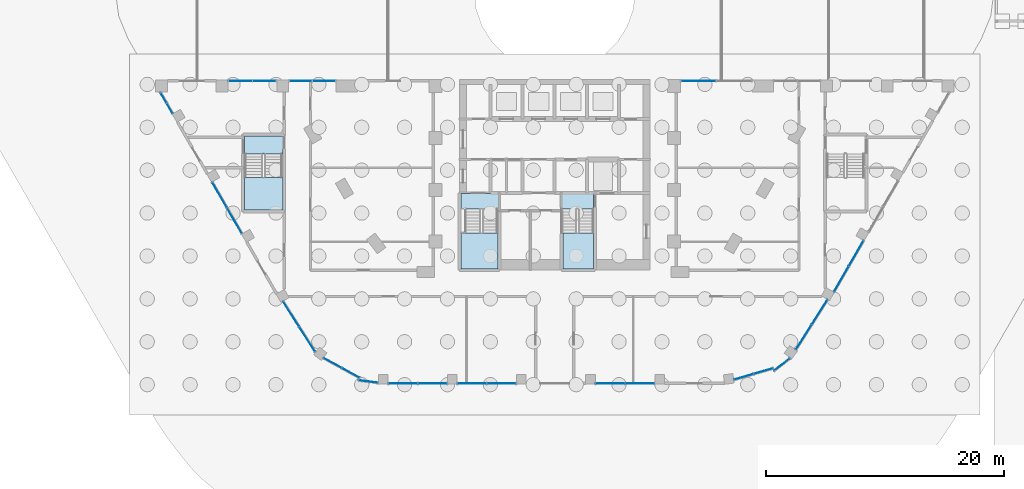
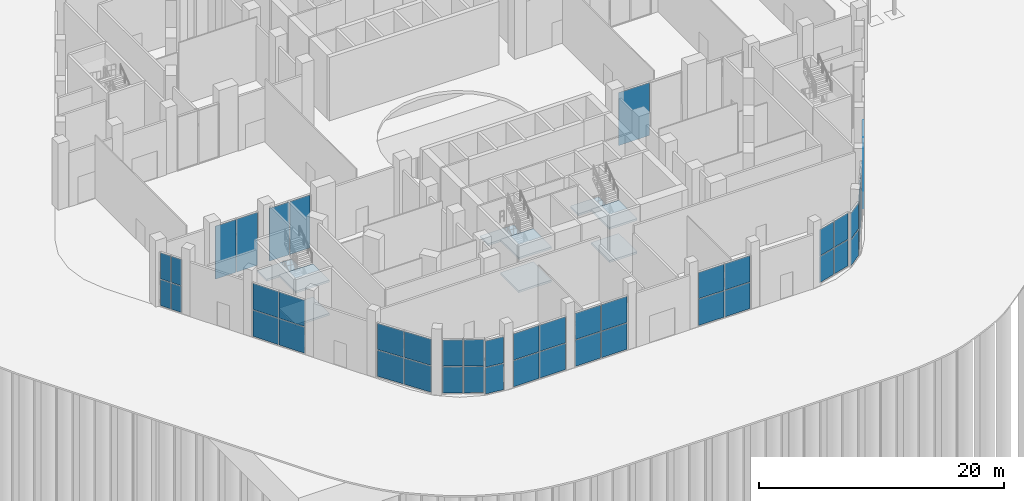
# One storey, part 18 of 44: 49 plates, 9 slabs, 18 elements without a shape of their own.
"""IFC4 building model written with IfcOpenShell, lengths in metres."""

from ifc_helpers import new_model, si_unit, direction, frame, origin, origin_2d, place, context, subcontext, project, spatial, polyline, rectangle, outline, extrude, material, layer, layer_set, type_object, element, aggregate, save


model = new_model("IFC4")

# Units and contexts
model_context = context("Model", 3, precision=1e-05, world=origin(), true_north=direction((0.0, 1.0)))
body_context = subcontext(model_context, "Body", "Model", "MODEL_VIEW")
ifc_project = project(units=[si_unit("LENGTHUNIT", "METRE"), si_unit("AREAUNIT", "SQUARE_METRE"), si_unit("VOLUMEUNIT", "CUBIC_METRE"), si_unit("PLANEANGLEUNIT", "RADIAN"), si_unit("MASSUNIT", "GRAM", prefix="KILO")], contexts=[model_context])

# Site, building, storey
site_placement = place(None, origin())
site = spatial("IfcSite", under=ifc_project, at=site_placement, CompositionType="ELEMENT")
building_placement = place(site_placement, origin())
building = spatial("IfcBuilding", under=site, at=building_placement, Name="Nakaniwa Court", CompositionType="ELEMENT")
storey_placement = place(building_placement, origin())
storey = spatial("IfcBuildingStorey", under=building, at=storey_placement, Name="L00", CompositionType="ELEMENT", Elevation=0.0)

# Curtain wall, plates
ifc_material_1 = material(Name="Black anodised aluminium frame with dark low-E laminated double glazing", Category="aluminium")
ifc_layer_1 = layer(ifc_material_1, 0.199951171875)
ifc_layer_set_1 = layer_set([ifc_layer_1], Name="Black anodised aluminium frame with dark low-E laminated double glazing")
curtain_wall_type_1 = type_object("IfcCurtainWallType", Name="Concourse stick curtain wall", PredefinedType="NOTDEFINED", material=ifc_layer_set_1)
curtain_wall_1_placement = place(storey_placement, origin())
curtain_wall_1 = element("IfcCurtainWall", 1, at=curtain_wall_1_placement, inside=storey, type_object=curtain_wall_type_1, Name="L00 curtain wall CW2 00", PredefinedType="NOTDEFINED")
ifc_material_2 = material(Name="Dark toughened glass", Category="glass")
ifc_layer_2 = layer(ifc_material_2, 0.006, Name="Outer pane")
ifc_material_3 = material(Name="Argon filled cavity")
ifc_layer_3 = layer(ifc_material_3, 0.016, Name="Cavity")
ifc_material_4 = material(Name="Dark laminated safety glass", Category="glass")
ifc_layer_4 = layer(ifc_material_4, 0.006, Name="Inner pane")
ifc_layer_set_2 = layer_set([ifc_layer_2, ifc_layer_3, ifc_layer_4], Name="Dark low-E laminated double glazing")
plate_type_1 = type_object("IfcPlateType", Name="Concourse stick curtain wall glass panel", PredefinedType="CURTAIN_PANEL", material=ifc_layer_set_2)
plate_1_placement = place(storey_placement, frame((104.055908203125, 55.8662109375, 0.06005859375), z_axis=(0.0, 0.0, 1.0), x_axis=(0.499979299736, 0.866037354758, 0.0)))
plate_1 = element("IfcPlate", 2, at=plate_1_placement, type_object=plate_type_1, Name="CW2 panel 1.1", PredefinedType="CURTAIN_PANEL", context=body_context, shape_type="SweptSolid", body=[
    extrude(rectangle(XDim=2.415283203125, YDim=0.028076171875, at=origin_2d()), origin(), (0.0, 0.0, 1.0), 2.610107421875),
])
plate_2_placement = place(storey_placement, frame((104.055908203125, 55.8662109375, 2.72998046875), z_axis=(0.0, 0.0, 1.0), x_axis=(0.499979299736, 0.866037354758, 0.0)))
plate_2 = element("IfcPlate", 3, at=plate_2_placement, type_object=plate_type_1, Name="CW2 panel 1.2", PredefinedType="CURTAIN_PANEL", context=body_context, shape_type="SweptSolid", body=[
    extrude(rectangle(XDim=2.415283203125, YDim=0.028076171875, at=origin_2d()), origin(), (0.0, 0.0, 1.0), 2.610107421875),
])
plate_3_placement = place(storey_placement, frame((105.29345703125, 58.009765625, 0.06005859375), z_axis=(0.0, 0.0, 1.0), x_axis=(0.499979299736, 0.866037354758, 0.0)))
plate_3 = element("IfcPlate", 4, at=plate_3_placement, type_object=plate_type_1, Name="CW2 panel 2.1", PredefinedType="CURTAIN_PANEL", context=body_context, shape_type="SweptSolid", body=[
    extrude(rectangle(XDim=2.415283203125, YDim=0.028076171875, at=origin_2d()), origin(), (0.0, 0.0, 1.0), 2.610107421875),
])
plate_4_placement = place(storey_placement, frame((105.29345703125, 58.009765625, 2.72998046875), z_axis=(0.0, 0.0, 1.0), x_axis=(0.499979299736, 0.866037354758, 0.0)))
plate_4 = element("IfcPlate", 5, at=plate_4_placement, type_object=plate_type_1, Name="CW2 panel 2.2", PredefinedType="CURTAIN_PANEL", context=body_context, shape_type="SweptSolid", body=[
    extrude(rectangle(XDim=2.415283203125, YDim=0.028076171875, at=origin_2d()), origin(), (0.0, 0.0, 1.0), 2.610107421875),
])
aggregate(curtain_wall_1, [plate_1, plate_2, plate_3, plate_4])

curtain_wall_2_placement = place(storey_placement, origin())
curtain_wall_2 = element("IfcCurtainWall", 6, at=curtain_wall_2_placement, inside=storey, type_object=curtain_wall_type_1, Name="L00 curtain wall CW2 12", PredefinedType="NOTDEFINED")
plate_5_placement = place(storey_placement, frame((47.16845703125, 71.06591796875, 0.06005859375), z_axis=(0.0, 0.0, 1.0), x_axis=(0.499982305557, -0.866035619435, 0.0)))
plate_5 = element("IfcPlate", 7, at=plate_5_placement, type_object=plate_type_1, Name="CW2 panel 1.1", PredefinedType="CURTAIN_PANEL", context=body_context, shape_type="SweptSolid", body=[
    extrude(rectangle(XDim=0.9482421875, YDim=0.028076171875, at=origin_2d()), origin(), (0.0, 0.0, 1.0), 2.610107421875),
])
plate_6_placement = place(storey_placement, frame((47.16845703125, 71.06591796875, 2.72998046875), z_axis=(0.0, 0.0, 1.0), x_axis=(0.499982305557, -0.866035619435, 0.0)))
plate_6 = element("IfcPlate", 8, at=plate_6_placement, type_object=plate_type_1, Name="CW2 panel 1.2", PredefinedType="CURTAIN_PANEL", context=body_context, shape_type="SweptSolid", body=[
    extrude(rectangle(XDim=0.9482421875, YDim=0.028076171875, at=origin_2d()), origin(), (0.0, 0.0, 1.0), 2.610107421875),
])
plate_7_placement = place(storey_placement, frame((47.672607421875, 70.19287109375, 0.06005859375), z_axis=(0.0, 0.0, 1.0), x_axis=(0.499982305557, -0.866035619435, 0.0)))
plate_7 = element("IfcPlate", 9, at=plate_7_placement, type_object=plate_type_1, Name="CW2 panel 2.1", PredefinedType="CURTAIN_PANEL", context=body_context, shape_type="SweptSolid", body=[
    extrude(rectangle(XDim=0.9482421875, YDim=0.028076171875, at=origin_2d()), origin(), (0.0, 0.0, 1.0), 2.610107421875),
])
plate_8_placement = place(storey_placement, frame((47.672607421875, 70.19287109375, 2.72998046875), z_axis=(0.0, 0.0, 1.0), x_axis=(0.499982305557, -0.866035619435, 0.0)))
plate_8 = element("IfcPlate", 10, at=plate_8_placement, type_object=plate_type_1, Name="CW2 panel 2.2", PredefinedType="CURTAIN_PANEL", context=body_context, shape_type="SweptSolid", body=[
    extrude(rectangle(XDim=0.9482421875, YDim=0.028076171875, at=origin_2d()), origin(), (0.0, 0.0, 1.0), 2.610107421875),
])
aggregate(curtain_wall_2, [plate_5, plate_6, plate_7, plate_8])

curtain_wall_3_placement = place(storey_placement, origin())
curtain_wall_3 = element("IfcCurtainWall", 11, at=curtain_wall_3_placement, inside=storey, type_object=curtain_wall_type_1, Name="L00 curtain wall CW2 14", PredefinedType="NOTDEFINED")
plate_9_placement = place(storey_placement, frame((51.879638671875, 62.906005859375, 0.06005859375), z_axis=(0.0, 0.0, 1.0), x_axis=(0.499985457189, -0.866033799918, 0.0)))
plate_9 = element("IfcPlate", 12, at=plate_9_placement, type_object=plate_type_1, Name="CW2 panel 1.1", PredefinedType="CURTAIN_PANEL", context=body_context, shape_type="SweptSolid", body=[
    extrude(rectangle(XDim=2.42236328125, YDim=0.028076171875, at=origin_2d()), origin(), (0.0, 0.0, 1.0), 2.610107421875),
])
plate_10_placement = place(storey_placement, frame((51.879638671875, 62.906005859375, 2.72998046875), z_axis=(0.0, 0.0, 1.0), x_axis=(0.499985457189, -0.866033799918, 0.0)))
plate_10 = element("IfcPlate", 13, at=plate_10_placement, type_object=plate_type_1, Name="CW2 panel 1.2", PredefinedType="CURTAIN_PANEL", context=body_context, shape_type="SweptSolid", body=[
    extrude(rectangle(XDim=2.42236328125, YDim=0.028076171875, at=origin_2d()), origin(), (0.0, 0.0, 1.0), 2.610107421875),
])
plate_11_placement = place(storey_placement, frame((53.12060546875, 60.756103515625, 0.06005859375), z_axis=(0.0, 0.0, 1.0), x_axis=(0.499985457189, -0.866033799918, 0.0)))
plate_11 = element("IfcPlate", 14, at=plate_11_placement, type_object=plate_type_1, Name="CW2 panel 2.1", PredefinedType="CURTAIN_PANEL", context=body_context, shape_type="SweptSolid", body=[
    extrude(rectangle(XDim=2.42236328125, YDim=0.028076171875, at=origin_2d()), origin(), (0.0, 0.0, 1.0), 2.610107421875),
])
plate_12_placement = place(storey_placement, frame((53.12060546875, 60.756103515625, 2.72998046875), z_axis=(0.0, 0.0, 1.0), x_axis=(0.499985457189, -0.866033799918, 0.0)))
plate_12 = element("IfcPlate", 15, at=plate_12_placement, type_object=plate_type_1, Name="CW2 panel 2.2", PredefinedType="CURTAIN_PANEL", context=body_context, shape_type="SweptSolid", body=[
    extrude(rectangle(XDim=2.42236328125, YDim=0.028076171875, at=origin_2d()), origin(), (0.0, 0.0, 1.0), 2.610107421875),
])
aggregate(curtain_wall_3, [plate_9, plate_10, plate_11, plate_12])

curtain_wall_4_placement = place(storey_placement, origin())
curtain_wall_4 = element("IfcCurtainWall", 16, at=curtain_wall_4_placement, inside=storey, type_object=curtain_wall_type_1, Name="L00 curtain wall CW2 16", PredefinedType="NOTDEFINED")
plate_13_placement = place(storey_placement, frame((57.876220703125, 52.920654296875, 0.06005859375), z_axis=(0.0, 0.0, 1.0), x_axis=(0.537226367864, -0.843438100676, 0.0)))
plate_13 = element("IfcPlate", 17, at=plate_13_placement, type_object=plate_type_1, Name="CW2 panel 1.1", PredefinedType="CURTAIN_PANEL", context=body_context, shape_type="SweptSolid", body=[
    extrude(rectangle(XDim=2.4453125, YDim=0.028076171875, at=origin_2d()), origin(), (0.0, 0.0, 1.0), 2.610107421875),
])
plate_14_placement = place(storey_placement, frame((57.876220703125, 52.920654296875, 2.72998046875), z_axis=(0.0, 0.0, 1.0), x_axis=(0.537226367864, -0.843438100676, 0.0)))
plate_14 = element("IfcPlate", 18, at=plate_14_placement, type_object=plate_type_1, Name="CW2 panel 1.2", PredefinedType="CURTAIN_PANEL", context=body_context, shape_type="SweptSolid", body=[
    extrude(rectangle(XDim=2.4453125, YDim=0.028076171875, at=origin_2d()), origin(), (0.0, 0.0, 1.0), 2.610107421875),
])
plate_15_placement = place(storey_placement, frame((59.22216796875, 50.807373046875, 0.06005859375), z_axis=(0.0, 0.0, 1.0), x_axis=(0.537226367864, -0.843438100676, 0.0)))
plate_15 = element("IfcPlate", 19, at=plate_15_placement, type_object=plate_type_1, Name="CW2 panel 2.1", PredefinedType="CURTAIN_PANEL", context=body_context, shape_type="SweptSolid", body=[
    extrude(rectangle(XDim=2.4453125, YDim=0.028076171875, at=origin_2d()), origin(), (0.0, 0.0, 1.0), 2.610107421875),
])
plate_16_placement = place(storey_placement, frame((59.22216796875, 50.807373046875, 2.72998046875), z_axis=(0.0, 0.0, 1.0), x_axis=(0.537226367864, -0.843438100676, 0.0)))
plate_16 = element("IfcPlate", 20, at=plate_16_placement, type_object=plate_type_1, Name="CW2 panel 2.2", PredefinedType="CURTAIN_PANEL", context=body_context, shape_type="SweptSolid", body=[
    extrude(rectangle(XDim=2.4453125, YDim=0.028076171875, at=origin_2d()), origin(), (0.0, 0.0, 1.0), 2.610107421875),
])
aggregate(curtain_wall_4, [plate_13, plate_14, plate_15, plate_16])

curtain_wall_5_placement = place(storey_placement, origin())
curtain_wall_5 = element("IfcCurtainWall", 21, at=curtain_wall_5_placement, inside=storey, type_object=curtain_wall_type_1, Name="L00 curtain wall CW2 17", PredefinedType="NOTDEFINED")
plate_17_placement = place(storey_placement, frame((61.359130859375, 48.821044921875, 0.06005859375), z_axis=(0.0, 0.0, 1.0), x_axis=(0.87648759057, -0.481424452617, 0.0)))
plate_17 = element("IfcPlate", 22, at=plate_17_placement, type_object=plate_type_1, Name="CW2 panel 1.1", PredefinedType="CURTAIN_PANEL", context=body_context, shape_type="SweptSolid", body=[
    extrude(rectangle(XDim=1.66552734375, YDim=0.028076171875, at=origin_2d()), origin(), (0.0, 0.0, 1.0), 2.610107421875),
])
plate_18_placement = place(storey_placement, frame((61.359130859375, 48.821044921875, 2.72998046875), z_axis=(0.0, 0.0, 1.0), x_axis=(0.87648759057, -0.481424452617, 0.0)))
plate_18 = element("IfcPlate", 23, at=plate_18_placement, type_object=plate_type_1, Name="CW2 panel 1.2", PredefinedType="CURTAIN_PANEL", context=body_context, shape_type="SweptSolid", body=[
    extrude(rectangle(XDim=1.66552734375, YDim=0.028076171875, at=origin_2d()), origin(), (0.0, 0.0, 1.0), 2.610107421875),
])
plate_19_placement = place(storey_placement, frame((62.871337890625, 47.990234375, 0.06005859375), z_axis=(0.0, 0.0, 1.0), x_axis=(0.87648759057, -0.481424452617, 0.0)))
plate_19 = element("IfcPlate", 24, at=plate_19_placement, type_object=plate_type_1, Name="CW2 panel 2.1", PredefinedType="CURTAIN_PANEL", context=body_context, shape_type="SweptSolid", body=[
    extrude(rectangle(XDim=1.66552734375, YDim=0.028076171875, at=origin_2d()), origin(), (0.0, 0.0, 1.0), 2.610107421875),
])
plate_20_placement = place(storey_placement, frame((62.871337890625, 47.990234375, 2.72998046875), z_axis=(0.0, 0.0, 1.0), x_axis=(0.87648759057, -0.481424452617, 0.0)))
plate_20 = element("IfcPlate", 25, at=plate_20_placement, type_object=plate_type_1, Name="CW2 panel 2.2", PredefinedType="CURTAIN_PANEL", context=body_context, shape_type="SweptSolid", body=[
    extrude(rectangle(XDim=1.66552734375, YDim=0.028076171875, at=origin_2d()), origin(), (0.0, 0.0, 1.0), 2.610107421875),
])
aggregate(curtain_wall_5, [plate_17, plate_18, plate_19, plate_20])

curtain_wall_6_placement = place(storey_placement, origin())
curtain_wall_6 = element("IfcCurtainWall", 26, at=curtain_wall_6_placement, inside=storey, type_object=curtain_wall_type_1, Name="L00 curtain wall CW2 18", PredefinedType="NOTDEFINED")
plate_21_placement = place(storey_placement, frame((64.35107421875, 47.2607421875, 0.06005859375), z_axis=(0.0, 0.0, 1.0), x_axis=(0.991441468924, -0.13055195785, 0.0)))
plate_21 = element("IfcPlate", 27, at=plate_21_placement, type_object=plate_type_1, Name="CW2 panel 1.1", PredefinedType="CURTAIN_PANEL", context=body_context, shape_type="SweptSolid", body=[
    extrude(rectangle(XDim=1.578857421875, YDim=0.028076171875, at=origin_2d()), origin(), (0.0, 0.0, 1.0), 2.610107421875),
])
plate_22_placement = place(storey_placement, frame((64.35107421875, 47.2607421875, 2.72998046875), z_axis=(0.0, 0.0, 1.0), x_axis=(0.991441468924, -0.13055195785, 0.0)))
plate_22 = element("IfcPlate", 28, at=plate_22_placement, type_object=plate_type_1, Name="CW2 panel 1.2", PredefinedType="CURTAIN_PANEL", context=body_context, shape_type="SweptSolid", body=[
    extrude(rectangle(XDim=1.578857421875, YDim=0.028076171875, at=origin_2d()), origin(), (0.0, 0.0, 1.0), 2.610107421875),
])
aggregate(curtain_wall_6, [plate_21, plate_22])

curtain_wall_7_placement = place(storey_placement, origin())
curtain_wall_7 = element("IfcCurtainWall", 29, at=curtain_wall_7_placement, inside=storey, type_object=curtain_wall_type_1, Name="L00 curtain wall CW2 19", PredefinedType="NOTDEFINED")
plate_23_placement = place(storey_placement, frame((67.25927734375, 47.10009765625, 0.06005859375), z_axis=(0.0, 0.0, 1.0), x_axis=(1.0, 0.0, 0.0)))
plate_23 = element("IfcPlate", 30, at=plate_23_placement, type_object=plate_type_1, Name="CW2 panel 1.1", PredefinedType="CURTAIN_PANEL", context=body_context, shape_type="SweptSolid", body=[
    extrude(rectangle(XDim=2.4150390625, YDim=0.028076171875, at=origin_2d()), origin(), (0.0, 0.0, 1.0), 2.610107421875),
])
plate_24_placement = place(storey_placement, frame((67.25927734375, 47.10009765625, 2.72998046875), z_axis=(0.0, 0.0, 1.0), x_axis=(1.0, 0.0, 0.0)))
plate_24 = element("IfcPlate", 31, at=plate_24_placement, type_object=plate_type_1, Name="CW2 panel 1.2", PredefinedType="CURTAIN_PANEL", context=body_context, shape_type="SweptSolid", body=[
    extrude(rectangle(XDim=2.4150390625, YDim=0.028076171875, at=origin_2d()), origin(), (0.0, 0.0, 1.0), 2.610107421875),
])
plate_25_placement = place(storey_placement, frame((69.734375, 47.10009765625, 0.06005859375), z_axis=(0.0, 0.0, 1.0), x_axis=(1.0, 0.0, 0.0)))
plate_25 = element("IfcPlate", 32, at=plate_25_placement, type_object=plate_type_1, Name="CW2 panel 2.1", PredefinedType="CURTAIN_PANEL", context=body_context, shape_type="SweptSolid", body=[
    extrude(rectangle(XDim=2.4150390625, YDim=0.028076171875, at=origin_2d()), origin(), (0.0, 0.0, 1.0), 2.610107421875),
])
plate_26_placement = place(storey_placement, frame((69.734375, 47.10009765625, 2.72998046875), z_axis=(0.0, 0.0, 1.0), x_axis=(1.0, 0.0, 0.0)))
plate_26 = element("IfcPlate", 33, at=plate_26_placement, type_object=plate_type_1, Name="CW2 panel 2.2", PredefinedType="CURTAIN_PANEL", context=body_context, shape_type="SweptSolid", body=[
    extrude(rectangle(XDim=2.4150390625, YDim=0.028076171875, at=origin_2d()), origin(), (0.0, 0.0, 1.0), 2.610107421875),
])
aggregate(curtain_wall_7, [plate_23, plate_24, plate_25, plate_26])

curtain_wall_8_placement = place(storey_placement, origin())
curtain_wall_8 = element("IfcCurtainWall", 34, at=curtain_wall_8_placement, inside=storey, type_object=curtain_wall_type_1, Name="L00 curtain wall CW2 20", PredefinedType="NOTDEFINED")
plate_27_placement = place(storey_placement, frame((73.0615234375, 47.10009765625, 0.06005859375), z_axis=(0.0, 0.0, 1.0), x_axis=(1.0, 0.0, 0.0)))
plate_27 = element("IfcPlate", 35, at=plate_27_placement, type_object=plate_type_1, Name="CW2 panel 1.1", PredefinedType="CURTAIN_PANEL", context=body_context, shape_type="SweptSolid", body=[
    extrude(rectangle(XDim=2.4150390625, YDim=0.028076171875, at=origin_2d()), origin(), (0.0, 0.0, 1.0), 2.610107421875),
])
plate_28_placement = place(storey_placement, frame((73.0615234375, 47.10009765625, 2.72998046875), z_axis=(0.0, 0.0, 1.0), x_axis=(1.0, 0.0, 0.0)))
plate_28 = element("IfcPlate", 36, at=plate_28_placement, type_object=plate_type_1, Name="CW2 panel 1.2", PredefinedType="CURTAIN_PANEL", context=body_context, shape_type="SweptSolid", body=[
    extrude(rectangle(XDim=2.4150390625, YDim=0.028076171875, at=origin_2d()), origin(), (0.0, 0.0, 1.0), 2.610107421875),
])
plate_29_placement = place(storey_placement, frame((75.53662109375, 47.10009765625, 0.06005859375), z_axis=(0.0, 0.0, 1.0), x_axis=(1.0, 0.0, 0.0)))
plate_29 = element("IfcPlate", 37, at=plate_29_placement, type_object=plate_type_1, Name="CW2 panel 2.1", PredefinedType="CURTAIN_PANEL", context=body_context, shape_type="SweptSolid", body=[
    extrude(rectangle(XDim=2.4150390625, YDim=0.028076171875, at=origin_2d()), origin(), (0.0, 0.0, 1.0), 2.610107421875),
])
plate_30_placement = place(storey_placement, frame((75.53662109375, 47.10009765625, 2.72998046875), z_axis=(0.0, 0.0, 1.0), x_axis=(1.0, 0.0, 0.0)))
plate_30 = element("IfcPlate", 38, at=plate_30_placement, type_object=plate_type_1, Name="CW2 panel 2.2", PredefinedType="CURTAIN_PANEL", context=body_context, shape_type="SweptSolid", body=[
    extrude(rectangle(XDim=2.4150390625, YDim=0.028076171875, at=origin_2d()), origin(), (0.0, 0.0, 1.0), 2.610107421875),
])
aggregate(curtain_wall_8, [plate_27, plate_28, plate_29, plate_30])

curtain_wall_9_placement = place(storey_placement, origin())
curtain_wall_9 = element("IfcCurtainWall", 39, at=curtain_wall_9_placement, inside=storey, type_object=curtain_wall_type_1, Name="L00 curtain wall CW2 22", PredefinedType="NOTDEFINED")
plate_31_placement = place(storey_placement, frame((84.666015625, 47.10009765625, 0.06005859375), z_axis=(0.0, 0.0, 1.0), x_axis=(1.0, 0.0, 0.0)))
plate_31 = element("IfcPlate", 40, at=plate_31_placement, type_object=plate_type_1, Name="CW2 panel 1.1", PredefinedType="CURTAIN_PANEL", context=body_context, shape_type="SweptSolid", body=[
    extrude(rectangle(XDim=2.4150390625, YDim=0.028076171875, at=origin_2d()), origin(), (0.0, 0.0, 1.0), 2.610107421875),
])
plate_32_placement = place(storey_placement, frame((84.666015625, 47.10009765625, 2.72998046875), z_axis=(0.0, 0.0, 1.0), x_axis=(1.0, 0.0, 0.0)))
plate_32 = element("IfcPlate", 41, at=plate_32_placement, type_object=plate_type_1, Name="CW2 panel 1.2", PredefinedType="CURTAIN_PANEL", context=body_context, shape_type="SweptSolid", body=[
    extrude(rectangle(XDim=2.4150390625, YDim=0.028076171875, at=origin_2d()), origin(), (0.0, 0.0, 1.0), 2.610107421875),
])
plate_33_placement = place(storey_placement, frame((87.14111328125, 47.10009765625, 0.06005859375), z_axis=(0.0, 0.0, 1.0), x_axis=(1.0, 0.0, 0.0)))
plate_33 = element("IfcPlate", 42, at=plate_33_placement, type_object=plate_type_1, Name="CW2 panel 2.1", PredefinedType="CURTAIN_PANEL", context=body_context, shape_type="SweptSolid", body=[
    extrude(rectangle(XDim=2.4150390625, YDim=0.028076171875, at=origin_2d()), origin(), (0.0, 0.0, 1.0), 2.610107421875),
])
plate_34_placement = place(storey_placement, frame((87.14111328125, 47.10009765625, 2.72998046875), z_axis=(0.0, 0.0, 1.0), x_axis=(1.0, 0.0, 0.0)))
plate_34 = element("IfcPlate", 43, at=plate_34_placement, type_object=plate_type_1, Name="CW2 panel 2.2", PredefinedType="CURTAIN_PANEL", context=body_context, shape_type="SweptSolid", body=[
    extrude(rectangle(XDim=2.4150390625, YDim=0.028076171875, at=origin_2d()), origin(), (0.0, 0.0, 1.0), 2.610107421875),
])
aggregate(curtain_wall_9, [plate_31, plate_32, plate_33, plate_34])

curtain_wall_10_placement = place(storey_placement, origin())
curtain_wall_10 = element("IfcCurtainWall", 44, at=curtain_wall_10_placement, inside=storey, type_object=curtain_wall_type_1, Name="L00 curtain wall CW2 24", PredefinedType="NOTDEFINED")
plate_35_placement = place(storey_placement, frame((95.8662109375, 47.65625, 0.06005859375), z_axis=(0.0, 0.0, 1.0), x_axis=(0.959578241494, 0.281441998377, 0.0)))
plate_35 = element("IfcPlate", 45, at=plate_35_placement, type_object=plate_type_1, Name="CW2 panel 1.1", PredefinedType="CURTAIN_PANEL", context=body_context, shape_type="SweptSolid", body=[
    extrude(rectangle(XDim=1.640625, YDim=0.028076171875, at=origin_2d()), origin(), (0.0, 0.0, 1.0), 2.610107421875),
])
plate_36_placement = place(storey_placement, frame((95.8662109375, 47.65625, 2.72998046875), z_axis=(0.0, 0.0, 1.0), x_axis=(0.959578241494, 0.281441998377, 0.0)))
plate_36 = element("IfcPlate", 46, at=plate_36_placement, type_object=plate_type_1, Name="CW2 panel 1.2", PredefinedType="CURTAIN_PANEL", context=body_context, shape_type="SweptSolid", body=[
    extrude(rectangle(XDim=1.640625, YDim=0.028076171875, at=origin_2d()), origin(), (0.0, 0.0, 1.0), 2.610107421875),
])
plate_37_placement = place(storey_placement, frame((97.498046875, 48.134765625, 0.06005859375), z_axis=(0.0, 0.0, 1.0), x_axis=(0.959578241494, 0.281441998377, 0.0)))
plate_37 = element("IfcPlate", 47, at=plate_37_placement, type_object=plate_type_1, Name="CW2 panel 2.1", PredefinedType="CURTAIN_PANEL", context=body_context, shape_type="SweptSolid", body=[
    extrude(rectangle(XDim=1.640625, YDim=0.028076171875, at=origin_2d()), origin(), (0.0, 0.0, 1.0), 2.610107421875),
])
plate_38_placement = place(storey_placement, frame((97.498046875, 48.134765625, 2.72998046875), z_axis=(0.0, 0.0, 1.0), x_axis=(0.959578241494, 0.281441998377, 0.0)))
plate_38 = element("IfcPlate", 48, at=plate_38_placement, type_object=plate_type_1, Name="CW2 panel 2.2", PredefinedType="CURTAIN_PANEL", context=body_context, shape_type="SweptSolid", body=[
    extrude(rectangle(XDim=1.640625, YDim=0.028076171875, at=origin_2d()), origin(), (0.0, 0.0, 1.0), 2.610107421875),
])
aggregate(curtain_wall_10, [plate_35, plate_36, plate_37, plate_38])

curtain_wall_11_placement = place(storey_placement, origin())
curtain_wall_11 = element("IfcCurtainWall", 49, at=curtain_wall_11_placement, inside=storey, type_object=curtain_wall_type_1, Name="L00 curtain wall CW2 25", PredefinedType="NOTDEFINED")
plate_39_placement = place(storey_placement, frame((99.073974609375, 48.68896484375, 0.06005859375), z_axis=(0.0, 0.0, 1.0), x_axis=(0.793344915165, 0.608772408689, 0.0)))
plate_39 = element("IfcPlate", 50, at=plate_39_placement, type_object=plate_type_1, Name="CW2 panel 1.1", PredefinedType="CURTAIN_PANEL", context=body_context, shape_type="SweptSolid", body=[
    extrude(rectangle(XDim=1.647216796875, YDim=0.028076171875, at=origin_2d()), origin(), (0.0, 0.0, 1.0), 2.610107421875),
])
plate_40_placement = place(storey_placement, frame((99.073974609375, 48.68896484375, 2.72998046875), z_axis=(0.0, 0.0, 1.0), x_axis=(0.793344915165, 0.608772408689, 0.0)))
plate_40 = element("IfcPlate", 51, at=plate_40_placement, type_object=plate_type_1, Name="CW2 panel 1.2", PredefinedType="CURTAIN_PANEL", context=body_context, shape_type="SweptSolid", body=[
    extrude(rectangle(XDim=1.647216796875, YDim=0.028076171875, at=origin_2d()), origin(), (0.0, 0.0, 1.0), 2.610107421875),
])
aggregate(curtain_wall_11, [plate_39, plate_40])

curtain_wall_12_placement = place(storey_placement, origin())
curtain_wall_12 = element("IfcCurtainWall", 52, at=curtain_wall_12_placement, inside=storey, type_object=curtain_wall_type_1, Name="L00 curtain wall CW2 26", PredefinedType="NOTDEFINED")
plate_41_placement = place(storey_placement, frame((100.8974609375, 50.981201171875, 0.06005859375), z_axis=(0.0, 0.0, 1.0), x_axis=(0.534596725914, 0.845107295343, 0.0)))
plate_41 = element("IfcPlate", 53, at=plate_41_placement, type_object=plate_type_1, Name="CW2 panel 1.1", PredefinedType="CURTAIN_PANEL", context=body_context, shape_type="SweptSolid", body=[
    extrude(rectangle(XDim=2.4208984375, YDim=0.028076171875, at=origin_2d()), origin(), (0.0, 0.0, 1.0), 2.610107421875),
])
plate_42_placement = place(storey_placement, frame((100.8974609375, 50.981201171875, 2.72998046875), z_axis=(0.0, 0.0, 1.0), x_axis=(0.534596725914, 0.845107295343, 0.0)))
plate_42 = element("IfcPlate", 54, at=plate_42_placement, type_object=plate_type_1, Name="CW2 panel 1.2", PredefinedType="CURTAIN_PANEL", context=body_context, shape_type="SweptSolid", body=[
    extrude(rectangle(XDim=2.4208984375, YDim=0.028076171875, at=origin_2d()), origin(), (0.0, 0.0, 1.0), 2.610107421875),
])
plate_43_placement = place(storey_placement, frame((102.2236328125, 53.07763671875, 0.06005859375), z_axis=(0.0, 0.0, 1.0), x_axis=(0.534596725914, 0.845107295343, 0.0)))
plate_43 = element("IfcPlate", 55, at=plate_43_placement, type_object=plate_type_1, Name="CW2 panel 2.1", PredefinedType="CURTAIN_PANEL", context=body_context, shape_type="SweptSolid", body=[
    extrude(rectangle(XDim=2.4208984375, YDim=0.028076171875, at=origin_2d()), origin(), (0.0, 0.0, 1.0), 2.610107421875),
])
plate_44_placement = place(storey_placement, frame((102.2236328125, 53.07763671875, 2.72998046875), z_axis=(0.0, 0.0, 1.0), x_axis=(0.534596725914, 0.845107295343, 0.0)))
plate_44 = element("IfcPlate", 56, at=plate_44_placement, type_object=plate_type_1, Name="CW2 panel 2.2", PredefinedType="CURTAIN_PANEL", context=body_context, shape_type="SweptSolid", body=[
    extrude(rectangle(XDim=2.4208984375, YDim=0.028076171875, at=origin_2d()), origin(), (0.0, 0.0, 1.0), 2.610107421875),
])
aggregate(curtain_wall_12, [plate_41, plate_42, plate_43, plate_44])

# Curtain wall, plate
ifc_layer_5 = layer(ifc_material_1, 0.199951171875)
ifc_layer_set_3 = layer_set([ifc_layer_5], Name="Black anodised aluminium frame with dark low-E laminated double glazing")
curtain_wall_type_2 = type_object("IfcCurtainWallType", Name="Portal side curtain wall", PredefinedType="NOTDEFINED", material=ifc_layer_set_3)
curtain_wall_13_placement = place(storey_placement, origin())
curtain_wall_13 = element("IfcCurtainWall", 57, at=curtain_wall_13_placement, inside=storey, type_object=curtain_wall_type_2, Name="L00 curtain wall CW5 07", PredefinedType="NOTDEFINED")
ifc_layer_6 = layer(ifc_material_2, 0.009, Name="Outer pane")
ifc_layer_7 = layer(ifc_material_3, 0.016, Name="Cavity")
ifc_layer_8 = layer(ifc_material_4, 0.009, Name="Inner pane")
ifc_layer_set_4 = layer_set([ifc_layer_6, ifc_layer_7, ifc_layer_8], Name="Dark low-E laminated double glazing")
plate_type_2 = type_object("IfcPlateType", Name="Portal side curtain wall glass panel", PredefinedType="CURTAIN_PANEL", material=ifc_layer_set_4)
plate_45_placement = place(storey_placement, frame((92.06884765625, 72.5, 0.06494140625), z_axis=(0.0, 0.0, 1.0), x_axis=(-1.0, 0.0, 0.0)))
plate_45 = element("IfcPlate", 58, at=plate_45_placement, type_object=plate_type_2, Name="CW5 panel 2.1", PredefinedType="CURTAIN_PANEL", context=body_context, shape_type="SweptSolid", body=[
    extrude(rectangle(XDim=2.8955078125, YDim=0.033935546875, at=origin_2d()), origin(), (0.0, 0.0, 1.0), 5.27001953125),
])
aggregate(curtain_wall_13, [plate_45])

# Curtain wall, plates
curtain_wall_14_placement = place(storey_placement, origin())
curtain_wall_14 = element("IfcCurtainWall", 59, at=curtain_wall_14_placement, inside=storey, type_object=curtain_wall_type_2, Name="L00 curtain wall CW5 09", PredefinedType="NOTDEFINED")
plate_46_placement = place(storey_placement, frame((60.634033203125, 72.5, 0.06494140625), z_axis=(0.0, 0.0, 1.0), x_axis=(-1.0, 0.0, 0.0)))
plate_46 = element("IfcPlate", 60, at=plate_46_placement, type_object=plate_type_2, Name="CW5 panel 1.1", PredefinedType="CURTAIN_PANEL", context=body_context, shape_type="SweptSolid", body=[
    extrude(rectangle(XDim=1.8740234375, YDim=0.033935546875, at=origin_2d()), origin(), (0.0, 0.0, 1.0), 5.27001953125),
])
plate_47_placement = place(storey_placement, frame((58.68505859375, 72.5, 0.06494140625), z_axis=(0.0, 0.0, 1.0), x_axis=(-1.0, 0.0, 0.0)))
plate_47 = element("IfcPlate", 61, at=plate_47_placement, type_object=plate_type_2, Name="CW5 panel 2.1", PredefinedType="CURTAIN_PANEL", context=body_context, shape_type="SweptSolid", body=[
    extrude(rectangle(XDim=1.8740234375, YDim=0.033935546875, at=origin_2d()), origin(), (0.0, 0.0, 1.0), 5.27001953125),
])
aggregate(curtain_wall_14, [plate_46, plate_47])

curtain_wall_15_placement = place(storey_placement, origin())
curtain_wall_15 = element("IfcCurtainWall", 62, at=curtain_wall_15_placement, inside=storey, type_object=curtain_wall_type_2, Name="L00 curtain wall CW5 10", PredefinedType="NOTDEFINED")
plate_48_placement = place(storey_placement, frame((55.638671875, 72.5, 0.06494140625), z_axis=(0.0, 0.0, 1.0), x_axis=(-1.0, 0.0, 0.0)))
plate_48 = element("IfcPlate", 63, at=plate_48_placement, type_object=plate_type_2, Name="CW5 panel 1.1", PredefinedType="CURTAIN_PANEL", context=body_context, shape_type="SweptSolid", body=[
    extrude(rectangle(XDim=1.9345703125, YDim=0.033935546875, at=origin_2d()), origin(), (0.0, 0.0, 1.0), 5.27001953125),
])
plate_49_placement = place(storey_placement, frame((53.629150390625, 72.5, 0.06494140625), z_axis=(0.0, 0.0, 1.0), x_axis=(-1.0, 0.0, 0.0)))
plate_49 = element("IfcPlate", 64, at=plate_49_placement, type_object=plate_type_2, Name="CW5 panel 2.1", PredefinedType="CURTAIN_PANEL", context=body_context, shape_type="SweptSolid", body=[
    extrude(rectangle(XDim=1.9345703125, YDim=0.033935546875, at=origin_2d()), origin(), (0.0, 0.0, 1.0), 5.27001953125),
])
aggregate(curtain_wall_15, [plate_48, plate_49])

# Stair, slabs
ifc_material_5 = material(Name="Concrete C80/100", Category="concrete")
stair_type_1 = type_object("IfcStairType", Name="Dog leg stair 1300 wide 36 risers", PredefinedType="HALF_TURN_STAIR", material=ifc_material_5)
stair_1_placement = place(storey_placement, origin())
stair_1 = element("IfcStair", 65, at=stair_1_placement, inside=storey, type_object=stair_type_1, Name="L00 Stair ST3", PredefinedType="HALF_TURN_STAIR")
ifc_layer_9 = layer(ifc_material_5, 0.199951171875)
ifc_layer_set_5 = layer_set([ifc_layer_9], Name="Concrete C80/100")
slab_type = type_object("IfcSlabType", Name="Stair landing concrete", PredefinedType="LANDING", material=ifc_layer_set_5)
slab_1_placement = place(storey_placement, frame((0.0, 0.0, 1.449951171875)))
slab_1 = element("IfcSlab", 66, at=slab_1_placement, type_object=slab_type, Name="ST3 landing 1", PredefinedType="LANDING", context=body_context, shape_type="SweptSolid", body=[
    extrude(outline(polyline([(75.22509765625, 56.72509765625), (75.22509765625, 59.72509765625), (72.125, 59.72509765625), (72.125, 56.72509765625), (75.22509765625, 56.72509765625)])), origin(), (0.0, 0.0, 1.0), 0.199951171875),
])
slab_2_placement = place(storey_placement, frame((0.0, 0.0, 3.10009765625)))
slab_2 = element("IfcSlab", 67, at=slab_2_placement, type_object=slab_type, Name="ST3 landing 2", PredefinedType="LANDING", context=body_context, shape_type="SweptSolid", body=[
    extrude(outline(polyline([(75.27490234375, 61.72509765625), (75.27490234375, 63.02490234375), (72.125, 63.02490234375), (72.125, 61.72509765625), (75.27490234375, 61.72509765625)])), origin(), (0.0, 0.0, 1.0), 0.199951171875),
])
slab_3_placement = place(storey_placement, frame((0.0, 0.0, 4.75)))
slab_3 = element("IfcSlab", 68, at=slab_3_placement, type_object=slab_type, Name="ST3 landing 3", PredefinedType="LANDING", context=body_context, shape_type="SweptSolid", body=[
    extrude(outline(polyline([(75.22509765625, 56.72509765625), (75.22509765625, 59.72509765625), (72.125, 59.72509765625), (72.125, 56.72509765625), (75.22509765625, 56.72509765625)])), origin(), (0.0, 0.0, 1.0), 0.199951171875),
])
aggregate(stair_1, [slab_1, slab_2, slab_3])

stair_2_placement = place(storey_placement, origin())
stair_2 = element("IfcStair", 69, at=stair_2_placement, inside=storey, type_object=stair_type_1, Name="L00 Stair ST4", PredefinedType="HALF_TURN_STAIR")
slab_4_placement = place(storey_placement, frame((0.0, 0.0, 1.449951171875)))
slab_4 = element("IfcSlab", 70, at=slab_4_placement, type_object=slab_type, Name="ST4 landing 1", PredefinedType="LANDING", context=body_context, shape_type="SweptSolid", body=[
    extrude(outline(polyline([(83.27490234375, 56.72509765625), (83.27490234375, 59.72509765625), (80.675048828125, 59.72509765625), (80.675048828125, 56.72509765625), (83.27490234375, 56.72509765625)])), origin(), (0.0, 0.0, 1.0), 0.199951171875),
])
slab_5_placement = place(storey_placement, frame((0.0, 0.0, 3.10009765625)))
slab_5 = element("IfcSlab", 71, at=slab_5_placement, type_object=slab_type, Name="ST4 landing 2", PredefinedType="LANDING", context=body_context, shape_type="SweptSolid", body=[
    extrude(outline(polyline([(83.27490234375, 61.72509765625), (83.27490234375, 63.02490234375), (80.625, 63.02490234375), (80.625, 61.72509765625), (83.27490234375, 61.72509765625)])), origin(), (0.0, 0.0, 1.0), 0.199951171875),
])
slab_6_placement = place(storey_placement, frame((0.0, 0.0, 4.75)))
slab_6 = element("IfcSlab", 72, at=slab_6_placement, type_object=slab_type, Name="ST4 landing 3", PredefinedType="LANDING", context=body_context, shape_type="SweptSolid", body=[
    extrude(outline(polyline([(83.27490234375, 56.72509765625), (83.27490234375, 59.72509765625), (80.675048828125, 59.72509765625), (80.675048828125, 56.72509765625), (83.27490234375, 56.72509765625)])), origin(), (0.0, 0.0, 1.0), 0.199951171875),
])
aggregate(stair_2, [slab_4, slab_5, slab_6])

stair_type_2 = type_object("IfcStairType", Name="Dog leg stair 1500 wide 36 risers", PredefinedType="HALF_TURN_STAIR", material=ifc_material_5)
stair_3_placement = place(storey_placement, origin())
stair_3 = element("IfcStair", 73, at=stair_3_placement, inside=storey, type_object=stair_type_2, Name="L00 Stair SS4", PredefinedType="HALF_TURN_STAIR")
slab_7_placement = place(storey_placement, frame((0.0, 0.0, 1.449951171875)))
slab_7 = element("IfcSlab", 74, at=slab_7_placement, type_object=slab_type, Name="SS4 landing 1", PredefinedType="LANDING", context=body_context, shape_type="SweptSolid", body=[
    extrude(outline(polyline([(57.175048828125, 61.675048828125), (57.175048828125, 64.375), (53.97509765625, 64.375), (53.97509765625, 61.675048828125), (57.175048828125, 61.675048828125)])), origin(), (0.0, 0.0, 1.0), 0.199951171875),
])
slab_8_placement = place(storey_placement, frame((0.0, 0.0, 3.10009765625)))
slab_8 = element("IfcSlab", 75, at=slab_8_placement, type_object=slab_type, Name="SS4 landing 2", PredefinedType="LANDING", context=body_context, shape_type="SweptSolid", body=[
    extrude(outline(polyline([(57.175048828125, 66.375), (57.175048828125, 67.875), (53.97509765625, 67.875), (53.97509765625, 66.375), (57.175048828125, 66.375)])), origin(), (0.0, 0.0, 1.0), 0.199951171875),
])
slab_9_placement = place(storey_placement, frame((0.0, 0.0, 4.75)))
slab_9 = element("IfcSlab", 76, at=slab_9_placement, type_object=slab_type, Name="SS4 landing 3", PredefinedType="LANDING", context=body_context, shape_type="SweptSolid", body=[
    extrude(outline(polyline([(57.175048828125, 61.675048828125), (57.175048828125, 64.375), (53.97509765625, 64.375), (53.97509765625, 61.675048828125), (57.175048828125, 61.675048828125)])), origin(), (0.0, 0.0, 1.0), 0.199951171875),
])
aggregate(stair_3, [slab_7, slab_8, slab_9])

save(model, "model.ifc")
